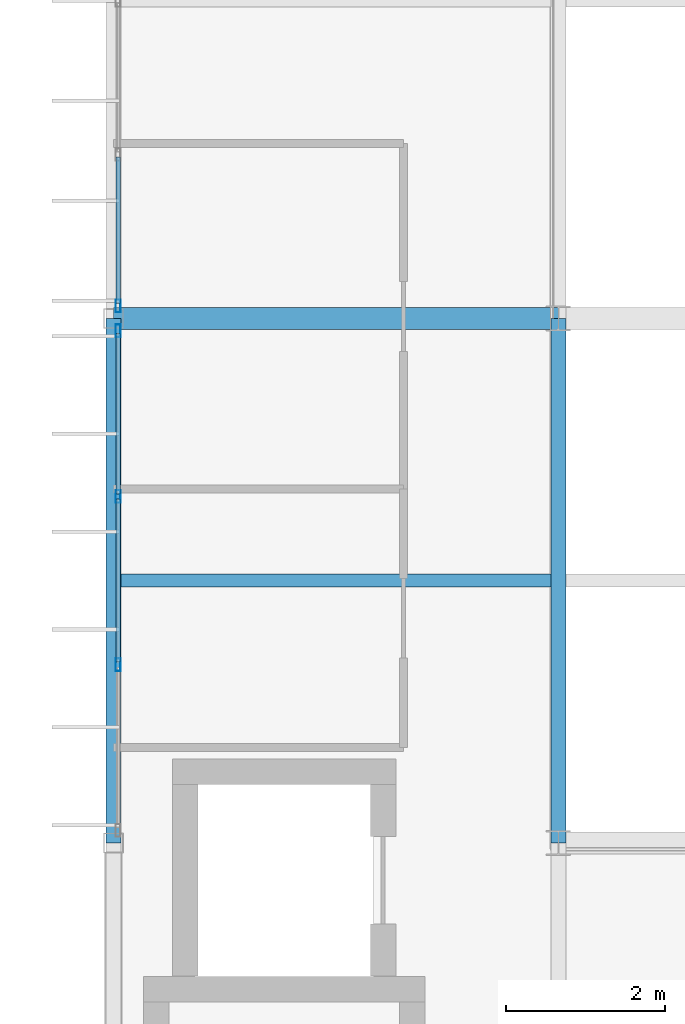
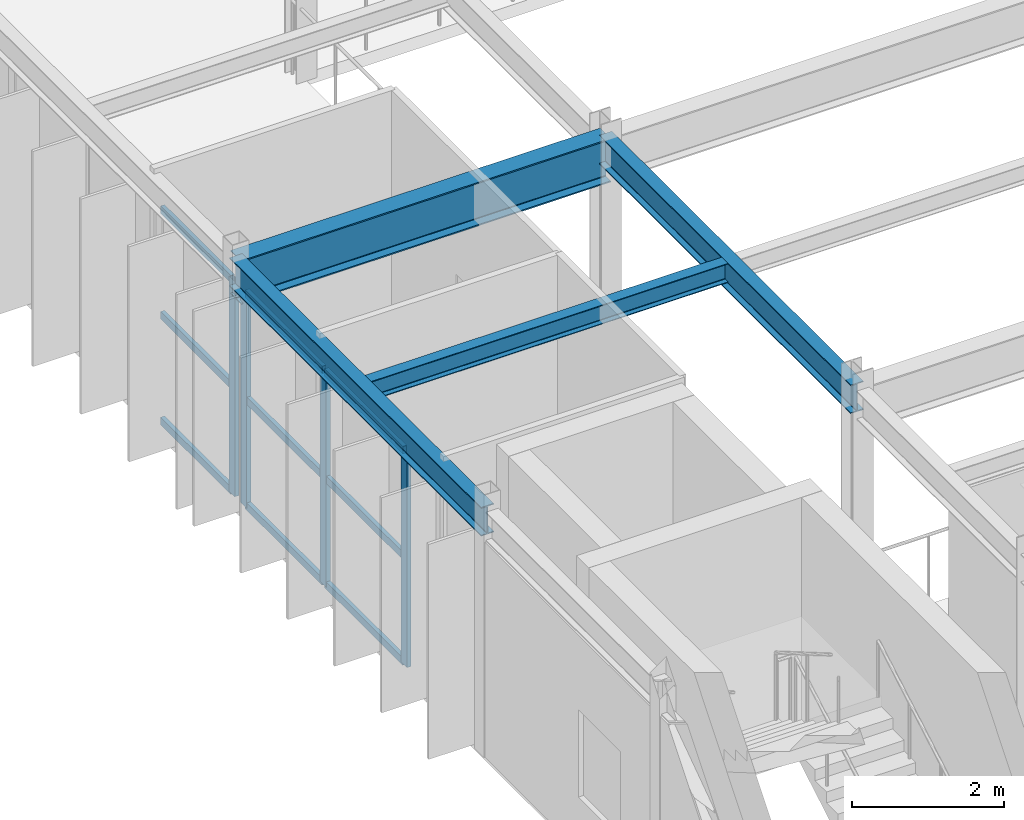
# One storey, part 34 of 147: 13 members, 4 beams, 2 elements without a shape of their own.
"""IFC4 building model written with IfcOpenShell, lengths in metres."""

from ifc_helpers import new_model, si_unit, direction, frame, origin, origin_2d, place, context, subcontext, project, spatial, hollow_rectangle, i_section, extrude, material, material_profile, profile_set, type_object, element, aggregate, save


model = new_model("IFC4")

# Units and contexts
model_context = context("Model", 3, precision=1e-05, world=origin(), true_north=direction((0.0, 1.0)))
body_context = subcontext(model_context, "Body", "Model", "MODEL_VIEW")
ifc_project = project(units=[si_unit("LENGTHUNIT", "METRE"), si_unit("AREAUNIT", "SQUARE_METRE"), si_unit("VOLUMEUNIT", "CUBIC_METRE"), si_unit("PLANEANGLEUNIT", "RADIAN"), si_unit("MASSUNIT", "GRAM", prefix="KILO")], contexts=[model_context])

# Site, building, storey
site_placement = place(None, origin())
site = spatial("IfcSite", under=ifc_project, at=site_placement, CompositionType="ELEMENT")
building_placement = place(site_placement, origin())
building = spatial("IfcBuilding", under=site, at=building_placement, Name="Karori Crest Natural Sciences Institute", CompositionType="ELEMENT")
storey_placement = place(building_placement, frame((0.0, 0.0, 9.10009765625)))
storey = spatial("IfcBuildingStorey", under=building, at=storey_placement, Name="L02", CompositionType="ELEMENT", Elevation=9.10009765625)

# Beams
ifc_material_1 = material(Name="Structural steel AS/NZS 3679.1 Grade 350", Category="steel")
ifc_material_profile_1 = material_profile(ifc_material_1, i_section(OverallWidth=0.27490234375, OverallDepth=0.699951171875, WebThickness=0.010009765625, FlangeThickness=0.02001953125, FilletRadius=0.013916015625, at=origin_2d()), Name="700WB150")
ifc_profile_set_1 = profile_set([ifc_material_profile_1], Name="Structural steel AS/NZS 3679.1 Grade 350")
beam_type_1 = type_object("IfcBeamType", Name="BT-03", PredefinedType="BEAM", material=ifc_profile_set_1)
beam_1_placement = place(storey_placement, frame((1.800048828125, 47.0, 3.56982421875), z_axis=(1.0, 0.0, 0.0), x_axis=(0.0, 1.0, 0.0)))
element("IfcBeam", 1, at=beam_1_placement, inside=storey, type_object=beam_type_1, Name="Beam B-1083", PredefinedType="BEAM", context=body_context, shape_type="SweptSolid", body=[
    extrude(i_section(OverallWidth=0.27490234375, OverallDepth=0.699951171875, WebThickness=0.010009765625, FlangeThickness=0.02001953125, FilletRadius=0.013916015625, at=origin_2d()), origin(), (0.0, 0.0, 1.0), 5.599853515625),
])
ifc_material_profile_2 = material_profile(ifc_material_1, i_section(OverallWidth=0.19091796875, OverallDepth=0.4599609375, WebThickness=0.010009765625, FlangeThickness=0.01611328125, FilletRadius=0.010986328125, at=origin_2d()), Name="460UB82.1")
ifc_profile_set_2 = profile_set([ifc_material_profile_2], Name="Structural steel AS/NZS 3679.1 Grade 350")
beam_type_2 = type_object("IfcBeamType", Name="BT-06", PredefinedType="BEAM", material=ifc_profile_set_2)
beam_2_placement = place(storey_placement, frame((7.39990234375, 40.39990234375, 3.68994140625), z_axis=(0.0, 1.0, 0.0), x_axis=(-1.0, 0.0, 0.0)))
element("IfcBeam", 2, at=beam_2_placement, inside=storey, type_object=beam_type_2, Name="Beam B-1105", PredefinedType="BEAM", context=body_context, shape_type="SweptSolid", body=[
    extrude(i_section(OverallWidth=0.19091796875, OverallDepth=0.4599609375, WebThickness=0.010009765625, FlangeThickness=0.01611328125, FilletRadius=0.010986328125, at=origin_2d()), origin(), (0.0, 0.0, 1.0), 6.60009765625),
])
ifc_material_profile_3 = material_profile(ifc_material_1, i_section(OverallWidth=0.19091796875, OverallDepth=0.4599609375, WebThickness=0.010009765625, FlangeThickness=0.01611328125, FilletRadius=0.010986328125, at=origin_2d()), Name="460UB82.1")
ifc_profile_set_3 = profile_set([ifc_material_profile_3], Name="Structural steel AS/NZS 3679.1 Grade 350")
beam_type_3 = type_object("IfcBeamType", Name="BT-06-EL", PredefinedType="BEAM", material=ifc_profile_set_3)
beam_3_placement = place(storey_placement, frame((1.800048828125, 40.39990234375, 3.68994140625), z_axis=(0.0, 1.0, 0.0), x_axis=(-1.0, 0.0, 0.0)))
element("IfcBeam", 3, at=beam_3_placement, inside=storey, type_object=beam_type_3, Name="Beam B-1098", PredefinedType="BEAM", context=body_context, shape_type="SweptSolid", body=[
    extrude(i_section(OverallWidth=0.19091796875, OverallDepth=0.4599609375, WebThickness=0.010009765625, FlangeThickness=0.01611328125, FilletRadius=0.010986328125, at=origin_2d()), origin(), (0.0, 0.0, 1.0), 6.60009765625),
])
ifc_material_profile_4 = material_profile(ifc_material_1, i_section(OverallWidth=0.166015625, OverallDepth=0.306884765625, WebThickness=0.006591796875, FlangeThickness=0.01171875, FilletRadius=0.010986328125, at=origin_2d()), Name="310UB46.2")
ifc_profile_set_4 = profile_set([ifc_material_profile_4], Name="Structural steel AS/NZS 3679.1 Grade 350")
beam_type_4 = type_object("IfcBeamType", Name="BT-09", PredefinedType="BEAM", material=ifc_profile_set_4)
beam_4_placement = place(storey_placement, frame((1.8955078125, 43.699951171875, 3.766357421875), z_axis=(1.0, 0.0, 0.0), x_axis=(0.0, 1.0, 0.0)))
element("IfcBeam", 4, at=beam_4_placement, inside=storey, type_object=beam_type_4, Name="Beam B-1124", PredefinedType="BEAM", context=body_context, shape_type="SweptSolid", body=[
    extrude(i_section(OverallWidth=0.166015625, OverallDepth=0.306884765625, WebThickness=0.006591796875, FlangeThickness=0.01171875, FilletRadius=0.010986328125, at=origin_2d()), origin(), (0.0, 0.0, 1.0), 5.408935546875),
])

# Curtain wall, members
ifc_material_2 = material(Name="Anodised architectural aluminium 6063-T6", Category="aluminium")
curtain_wall_type = type_object("IfcCurtainWallType", Name="CWT-17", PredefinedType="NOTDEFINED", material=ifc_material_2)
curtain_wall_1_placement = place(storey_placement, origin())
curtain_wall_1 = element("IfcCurtainWall", 5, at=curtain_wall_1_placement, inside=storey, type_object=curtain_wall_type, Name="Curtain wall CW-0270", PredefinedType="NOTDEFINED")
ifc_material_profile_5 = material_profile(ifc_material_2, hollow_rectangle(XDim=0.06494140625, YDim=0.159912109375, WallThickness=0.00390625, at=origin_2d()), Name="CWM160x65x4")
ifc_profile_set_5 = profile_set([ifc_material_profile_5], Name="Anodised architectural aluminium 6063-T6")
member_type_1 = type_object("IfcMemberType", Name="CWM-01", PredefinedType="MULLION", material=ifc_profile_set_5)
member_1_placement = place(storey_placement, frame((1.860107421875, 42.64111328125, 0.0), z_axis=(0.0, 0.0, 1.0), x_axis=(-1.0, 0.0, 0.0)))
member_1 = element("IfcMember", 6, at=member_1_placement, type_object=member_type_1, Name="CW-0270 mullion 2", PredefinedType="MULLION", context=body_context, shape_type="SweptSolid", body=[
    extrude(hollow_rectangle(XDim=0.06494140625, YDim=0.159912109375, WallThickness=0.00390625, at=origin_2d()), origin(), (0.0, 0.0, 1.0), 3.44482421875),
])
member_2_placement = place(storey_placement, frame((1.860107421875, 44.759033203125, 0.0), z_axis=(0.0, 0.0, 1.0), x_axis=(-1.0, 0.0, 0.0)))
member_2 = element("IfcMember", 7, at=member_2_placement, type_object=member_type_1, Name="CW-0270 mullion 3", PredefinedType="MULLION", context=body_context, shape_type="SweptSolid", body=[
    extrude(hollow_rectangle(XDim=0.06494140625, YDim=0.159912109375, WallThickness=0.00390625, at=origin_2d()), origin(), (0.0, 0.0, 1.0), 3.44482421875),
])
member_3_placement = place(storey_placement, frame((1.860107421875, 46.844482421875, 0.0), z_axis=(0.0, 0.0, 1.0), x_axis=(-1.0, 0.0, 0.0)))
member_3 = element("IfcMember", 8, at=member_3_placement, type_object=member_type_1, Name="CW-0270 mullion 4", PredefinedType="MULLION", context=body_context, shape_type="SweptSolid", body=[
    extrude(hollow_rectangle(XDim=0.06494140625, YDim=0.159912109375, WallThickness=0.00390625, at=origin_2d()), origin(), (0.0, 0.0, 1.0), 3.44482421875),
])

# Curtain wall, member
curtain_wall_2_placement = place(storey_placement, origin())
curtain_wall_2 = element("IfcCurtainWall", 9, at=curtain_wall_2_placement, inside=storey, type_object=curtain_wall_type, Name="Curtain wall CW-0271", PredefinedType="NOTDEFINED")
member_4_placement = place(storey_placement, frame((1.860107421875, 47.155517578125, 0.0), z_axis=(0.0, 0.0, 1.0), x_axis=(-1.0, 0.0, 0.0)))
member_4 = element("IfcMember", 10, at=member_4_placement, type_object=member_type_1, Name="CW-0271 mullion 1", PredefinedType="MULLION", context=body_context, shape_type="SweptSolid", body=[
    extrude(hollow_rectangle(XDim=0.06494140625, YDim=0.159912109375, WallThickness=0.00390625, at=origin_2d()), origin(), (0.0, 0.0, 1.0), 3.44482421875),
])

# Member
ifc_material_profile_6 = material_profile(ifc_material_2, hollow_rectangle(XDim=0.06005859375, YDim=0.1201171875, WallThickness=0.00390625, at=origin_2d()), Name="CWT120x60x4")
ifc_profile_set_6 = profile_set([ifc_material_profile_6], Name="Anodised architectural aluminium 6063-T6")
member_type_2 = type_object("IfcMemberType", Name="CWT-TR1", PredefinedType="USERDEFINED", material=ifc_profile_set_6)
member_5_placement = place(storey_placement, frame((1.860107421875, 42.673583984375, 0.02978515625), z_axis=(0.0, 1.0, 0.0), x_axis=(-1.0, 0.0, 0.0)))
member_5 = element("IfcMember", 11, at=member_5_placement, type_object=member_type_2, Name="CW-0270 transom 2.1", ObjectType="TRANSOM", PredefinedType="USERDEFINED", context=body_context, shape_type="SweptSolid", body=[
    extrude(hollow_rectangle(XDim=0.06005859375, YDim=0.1201171875, WallThickness=0.00390625, at=origin_2d()), origin(), (0.0, 0.0, 1.0), 2.052978515625),
])

member_6_placement = place(storey_placement, frame((1.860107421875, 42.673583984375, 1.722412109375), z_axis=(0.0, 1.0, 0.0), x_axis=(-1.0, 0.0, 0.0)))
member_6 = element("IfcMember", 12, at=member_6_placement, type_object=member_type_2, Name="CW-0270 transom 2.2", ObjectType="TRANSOM", PredefinedType="USERDEFINED", context=body_context, shape_type="SweptSolid", body=[
    extrude(hollow_rectangle(XDim=0.06005859375, YDim=0.1201171875, WallThickness=0.00390625, at=origin_2d()), origin(), (0.0, 0.0, 1.0), 2.052978515625),
])

member_7_placement = place(storey_placement, frame((1.860107421875, 42.673583984375, 3.414794921875), z_axis=(0.0, 1.0, 0.0), x_axis=(-1.0, 0.0, 0.0)))
member_7 = element("IfcMember", 13, at=member_7_placement, type_object=member_type_2, Name="CW-0270 transom 2.3", ObjectType="TRANSOM", PredefinedType="USERDEFINED", context=body_context, shape_type="SweptSolid", body=[
    extrude(hollow_rectangle(XDim=0.06005859375, YDim=0.1201171875, WallThickness=0.00390625, at=origin_2d()), origin(), (0.0, 0.0, 1.0), 2.052978515625),
])

member_8_placement = place(storey_placement, frame((1.860107421875, 44.79150390625, 0.02978515625), z_axis=(0.0, 1.0, 0.0), x_axis=(-1.0, 0.0, 0.0)))
member_8 = element("IfcMember", 14, at=member_8_placement, type_object=member_type_2, Name="CW-0270 transom 3.1", ObjectType="TRANSOM", PredefinedType="USERDEFINED", context=body_context, shape_type="SweptSolid", body=[
    extrude(hollow_rectangle(XDim=0.06005859375, YDim=0.1201171875, WallThickness=0.00390625, at=origin_2d()), origin(), (0.0, 0.0, 1.0), 2.0205078125),
])

member_9_placement = place(storey_placement, frame((1.860107421875, 44.79150390625, 1.722412109375), z_axis=(0.0, 1.0, 0.0), x_axis=(-1.0, 0.0, 0.0)))
member_9 = element("IfcMember", 15, at=member_9_placement, type_object=member_type_2, Name="CW-0270 transom 3.2", ObjectType="TRANSOM", PredefinedType="USERDEFINED", context=body_context, shape_type="SweptSolid", body=[
    extrude(hollow_rectangle(XDim=0.06005859375, YDim=0.1201171875, WallThickness=0.00390625, at=origin_2d()), origin(), (0.0, 0.0, 1.0), 2.0205078125),
])

member_10_placement = place(storey_placement, frame((1.860107421875, 44.79150390625, 3.414794921875), z_axis=(0.0, 1.0, 0.0), x_axis=(-1.0, 0.0, 0.0)))
member_10 = element("IfcMember", 16, at=member_10_placement, type_object=member_type_2, Name="CW-0270 transom 3.3", ObjectType="TRANSOM", PredefinedType="USERDEFINED", context=body_context, shape_type="SweptSolid", body=[
    extrude(hollow_rectangle(XDim=0.06005859375, YDim=0.1201171875, WallThickness=0.00390625, at=origin_2d()), origin(), (0.0, 0.0, 1.0), 2.0205078125),
])

aggregate(curtain_wall_1, [member_1, member_2, member_3, member_5, member_6, member_7, member_8, member_9, member_10])

member_11_placement = place(storey_placement, frame((1.860107421875, 47.18798828125, 0.02978515625), z_axis=(0.0, 1.0, 0.0), x_axis=(-1.0, 0.0, 0.0)))
member_11 = element("IfcMember", 17, at=member_11_placement, type_object=member_type_2, Name="CW-0271 transom 1.1", ObjectType="TRANSOM", PredefinedType="USERDEFINED", context=body_context, shape_type="SweptSolid", body=[
    extrude(hollow_rectangle(XDim=0.06005859375, YDim=0.1201171875, WallThickness=0.00390625, at=origin_2d()), origin(), (0.0, 0.0, 1.0), 1.841064453125),
])

member_12_placement = place(storey_placement, frame((1.860107421875, 47.18798828125, 1.722412109375), z_axis=(0.0, 1.0, 0.0), x_axis=(-1.0, 0.0, 0.0)))
member_12 = element("IfcMember", 18, at=member_12_placement, type_object=member_type_2, Name="CW-0271 transom 1.2", ObjectType="TRANSOM", PredefinedType="USERDEFINED", context=body_context, shape_type="SweptSolid", body=[
    extrude(hollow_rectangle(XDim=0.06005859375, YDim=0.1201171875, WallThickness=0.00390625, at=origin_2d()), origin(), (0.0, 0.0, 1.0), 1.841064453125),
])

member_13_placement = place(storey_placement, frame((1.860107421875, 47.18798828125, 3.414794921875), z_axis=(0.0, 1.0, 0.0), x_axis=(-1.0, 0.0, 0.0)))
member_13 = element("IfcMember", 19, at=member_13_placement, type_object=member_type_2, Name="CW-0271 transom 1.3", ObjectType="TRANSOM", PredefinedType="USERDEFINED", context=body_context, shape_type="SweptSolid", body=[
    extrude(hollow_rectangle(XDim=0.06005859375, YDim=0.1201171875, WallThickness=0.00390625, at=origin_2d()), origin(), (0.0, 0.0, 1.0), 1.841064453125),
])

aggregate(curtain_wall_2, [member_4, member_11, member_12, member_13])

save(model, "model.ifc")
